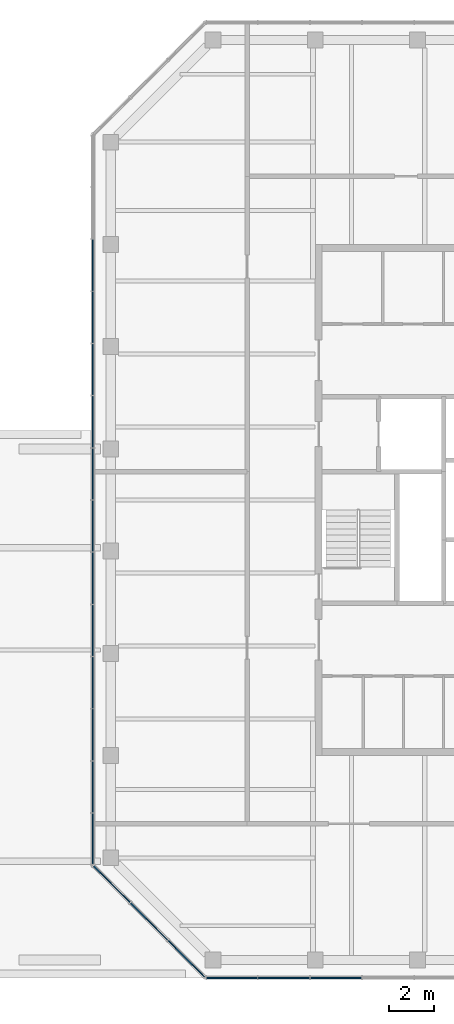
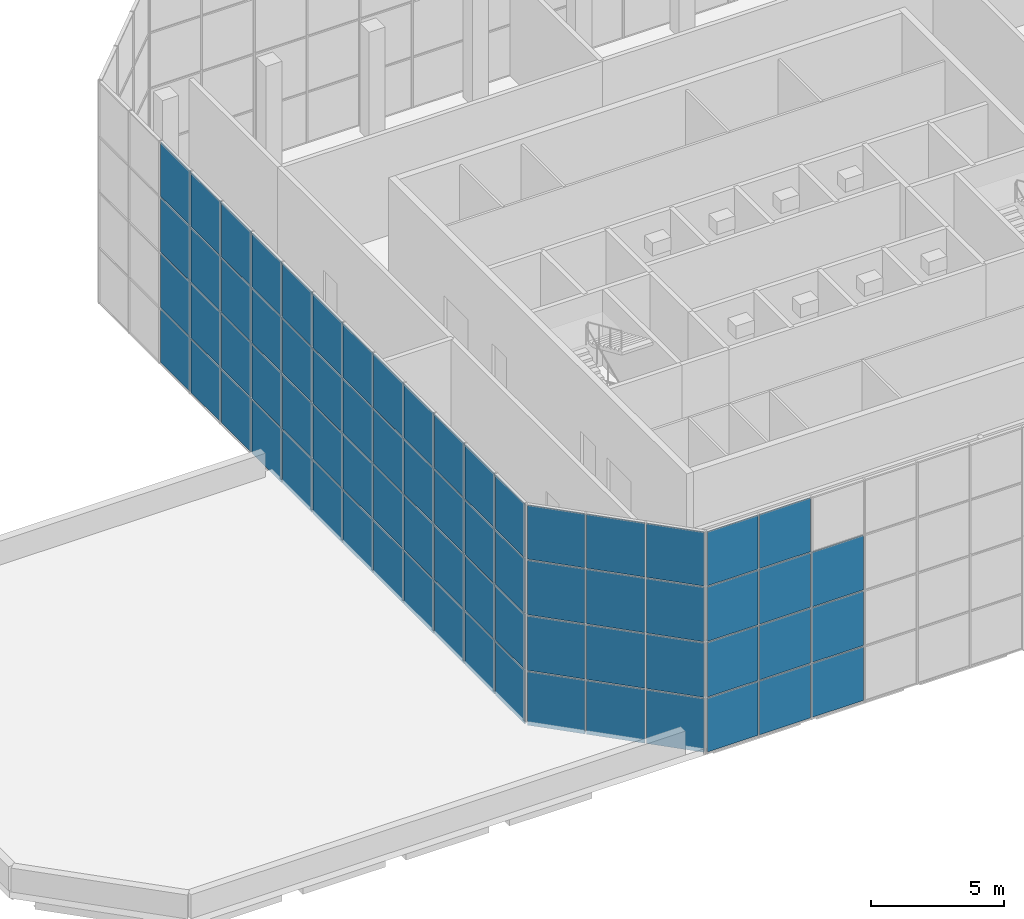
# One storey, part 12 of 19: 71 plates, 3 elements without a shape of their own.
"""IFC4 building model written with IfcOpenShell, lengths in metres."""

from ifc_helpers import new_model, si_unit, direction, frame, origin, origin_2d, place, context, subcontext, project, spatial, rectangle, extrude, material, layer, layer_set, constituent, constituent_set, type_object, element, aggregate, save


model = new_model("IFC4")

# Units and contexts
model_context = context("Model", 3, precision=1e-05, world=origin(), true_north=direction((0.0, 1.0)))
body_context = subcontext(model_context, "Body", "Model", "MODEL_VIEW")
ifc_project = project(units=[si_unit("LENGTHUNIT", "METRE"), si_unit("AREAUNIT", "SQUARE_METRE"), si_unit("VOLUMEUNIT", "CUBIC_METRE"), si_unit("PLANEANGLEUNIT", "RADIAN"), si_unit("MASSUNIT", "GRAM", prefix="KILO")], contexts=[model_context])

# Site, building, storey
site_placement = place(None, origin())
site = spatial("IfcSite", under=ifc_project, at=site_placement, CompositionType="ELEMENT")
building_placement = place(site_placement, origin())
building = spatial("IfcBuilding", under=site, at=building_placement, Name="Quoin Convention Tower", CompositionType="ELEMENT")
storey_placement = place(building_placement, frame((0.0, 0.0, 263.699951171875)))
storey = spatial("IfcBuildingStorey", under=building, at=storey_placement, Name="L69", CompositionType="ELEMENT", Elevation=263.699951171875)

# Curtain wall, plates
ifc_material_1 = material(Name="Aluminium", Category="aluminium")
ifc_constituent_1 = constituent(ifc_material_1, Name="Frame")
ifc_material_2 = material(Name="Insulated glass", Category="glass")
ifc_constituent_2 = constituent(ifc_material_2, Name="Glazing")
ifc_constituent_set = constituent_set(constituents=[ifc_constituent_1, ifc_constituent_2], Name="Aluminium")
curtain_wall_type = type_object("IfcCurtainWallType", Name="Lantern wall system", PredefinedType="NOTDEFINED", material=ifc_constituent_set)
curtain_wall_1_placement = place(storey_placement, origin())
curtain_wall_1 = element("IfcCurtainWall", 1, at=curtain_wall_1_placement, inside=storey, type_object=curtain_wall_type, Name="crn-LNW-36000_76500", PredefinedType="NOTDEFINED")
ifc_layer = layer(ifc_material_2, 0.048095703125)
ifc_layer_set = layer_set([ifc_layer], Name="Insulated glass")
plate_type = type_object("IfcPlateType", Name="Lantern wall glazing unit 48", PredefinedType="CURTAIN_PANEL", material=ifc_layer_set)
plate_1_placement = place(storey_placement, frame((35.2099609375, 71.08544921875, -0.18994140625), z_axis=(0.0, 0.0, 1.0), x_axis=(0.0, -1.0, 0.0)))
plate_1 = element("IfcPlate", 2, at=plate_1_placement, type_object=plate_type, Name="CW5 panel 3.1", PredefinedType="CURTAIN_PANEL", context=body_context, shape_type="SweptSolid", body=[
    extrude(rectangle(XDim=2.23681640625, YDim=0.048095703125, at=origin_2d()), origin(), (0.0, 0.0, 1.0), 2.472412109375),
])
plate_2_placement = place(storey_placement, frame((35.2099609375, 71.08544921875, 2.342529296875), z_axis=(0.0, 0.0, 1.0), x_axis=(0.0, -1.0, 0.0)))
plate_2 = element("IfcPlate", 3, at=plate_2_placement, type_object=plate_type, Name="CW5 panel 3.2", PredefinedType="CURTAIN_PANEL", context=body_context, shape_type="SweptSolid", body=[
    extrude(rectangle(XDim=2.23681640625, YDim=0.048095703125, at=origin_2d()), origin(), (0.0, 0.0, 1.0), 2.50244140625),
])
plate_3_placement = place(storey_placement, frame((35.2099609375, 71.08544921875, 4.905029296875), z_axis=(0.0, 0.0, 1.0), x_axis=(0.0, -1.0, 0.0)))
plate_3 = element("IfcPlate", 4, at=plate_3_placement, type_object=plate_type, Name="CW5 panel 3.3", PredefinedType="CURTAIN_PANEL", context=body_context, shape_type="SweptSolid", body=[
    extrude(rectangle(XDim=2.23681640625, YDim=0.048095703125, at=origin_2d()), origin(), (0.0, 0.0, 1.0), 2.50244140625),
])
plate_4_placement = place(storey_placement, frame((35.2099609375, 71.08544921875, 7.4677734375), z_axis=(0.0, 0.0, 1.0), x_axis=(0.0, -1.0, 0.0)))
plate_4 = element("IfcPlate", 5, at=plate_4_placement, type_object=plate_type, Name="CW5 panel 3.4", PredefinedType="CURTAIN_PANEL", context=body_context, shape_type="SweptSolid", body=[
    extrude(rectangle(XDim=2.23681640625, YDim=0.048095703125, at=origin_2d()), origin(), (0.0, 0.0, 1.0), 2.472412109375),
])
plate_5_placement = place(storey_placement, frame((35.2099609375, 68.78857421875, -0.18994140625), z_axis=(0.0, 0.0, 1.0), x_axis=(0.0, -1.0, 0.0)))
plate_5 = element("IfcPlate", 6, at=plate_5_placement, type_object=plate_type, Name="CW5 panel 4.1", PredefinedType="CURTAIN_PANEL", context=body_context, shape_type="SweptSolid", body=[
    extrude(rectangle(XDim=2.23681640625, YDim=0.048095703125, at=origin_2d()), origin(), (0.0, 0.0, 1.0), 2.472412109375),
])
plate_6_placement = place(storey_placement, frame((35.2099609375, 68.78857421875, 2.342529296875), z_axis=(0.0, 0.0, 1.0), x_axis=(0.0, -1.0, 0.0)))
plate_6 = element("IfcPlate", 7, at=plate_6_placement, type_object=plate_type, Name="CW5 panel 4.2", PredefinedType="CURTAIN_PANEL", context=body_context, shape_type="SweptSolid", body=[
    extrude(rectangle(XDim=2.23681640625, YDim=0.048095703125, at=origin_2d()), origin(), (0.0, 0.0, 1.0), 2.50244140625),
])
plate_7_placement = place(storey_placement, frame((35.2099609375, 68.78857421875, 4.905029296875), z_axis=(0.0, 0.0, 1.0), x_axis=(0.0, -1.0, 0.0)))
plate_7 = element("IfcPlate", 8, at=plate_7_placement, type_object=plate_type, Name="CW5 panel 4.3", PredefinedType="CURTAIN_PANEL", context=body_context, shape_type="SweptSolid", body=[
    extrude(rectangle(XDim=2.23681640625, YDim=0.048095703125, at=origin_2d()), origin(), (0.0, 0.0, 1.0), 2.50244140625),
])
plate_8_placement = place(storey_placement, frame((35.2099609375, 68.78857421875, 7.4677734375), z_axis=(0.0, 0.0, 1.0), x_axis=(0.0, -1.0, 0.0)))
plate_8 = element("IfcPlate", 9, at=plate_8_placement, type_object=plate_type, Name="CW5 panel 4.4", PredefinedType="CURTAIN_PANEL", context=body_context, shape_type="SweptSolid", body=[
    extrude(rectangle(XDim=2.23681640625, YDim=0.048095703125, at=origin_2d()), origin(), (0.0, 0.0, 1.0), 2.472412109375),
])
plate_9_placement = place(storey_placement, frame((35.2099609375, 66.491943359375, -0.18994140625), z_axis=(0.0, 0.0, 1.0), x_axis=(0.0, -1.0, 0.0)))
plate_9 = element("IfcPlate", 10, at=plate_9_placement, type_object=plate_type, Name="CW5 panel 5.1", PredefinedType="CURTAIN_PANEL", context=body_context, shape_type="SweptSolid", body=[
    extrude(rectangle(XDim=2.23681640625, YDim=0.048095703125, at=origin_2d()), origin(), (0.0, 0.0, 1.0), 2.472412109375),
])
plate_10_placement = place(storey_placement, frame((35.2099609375, 66.491943359375, 2.342529296875), z_axis=(0.0, 0.0, 1.0), x_axis=(0.0, -1.0, 0.0)))
plate_10 = element("IfcPlate", 11, at=plate_10_placement, type_object=plate_type, Name="CW5 panel 5.2", PredefinedType="CURTAIN_PANEL", context=body_context, shape_type="SweptSolid", body=[
    extrude(rectangle(XDim=2.23681640625, YDim=0.048095703125, at=origin_2d()), origin(), (0.0, 0.0, 1.0), 2.50244140625),
])
plate_11_placement = place(storey_placement, frame((35.2099609375, 66.491943359375, 4.905029296875), z_axis=(0.0, 0.0, 1.0), x_axis=(0.0, -1.0, 0.0)))
plate_11 = element("IfcPlate", 12, at=plate_11_placement, type_object=plate_type, Name="CW5 panel 5.3", PredefinedType="CURTAIN_PANEL", context=body_context, shape_type="SweptSolid", body=[
    extrude(rectangle(XDim=2.23681640625, YDim=0.048095703125, at=origin_2d()), origin(), (0.0, 0.0, 1.0), 2.50244140625),
])
plate_12_placement = place(storey_placement, frame((35.2099609375, 66.491943359375, 7.4677734375), z_axis=(0.0, 0.0, 1.0), x_axis=(0.0, -1.0, 0.0)))
plate_12 = element("IfcPlate", 13, at=plate_12_placement, type_object=plate_type, Name="CW5 panel 5.4", PredefinedType="CURTAIN_PANEL", context=body_context, shape_type="SweptSolid", body=[
    extrude(rectangle(XDim=2.23681640625, YDim=0.048095703125, at=origin_2d()), origin(), (0.0, 0.0, 1.0), 2.472412109375),
])
plate_13_placement = place(storey_placement, frame((35.2099609375, 64.195068359375, -0.18994140625), z_axis=(0.0, 0.0, 1.0), x_axis=(0.0, -1.0, 0.0)))
plate_13 = element("IfcPlate", 14, at=plate_13_placement, type_object=plate_type, Name="CW5 panel 6.1", PredefinedType="CURTAIN_PANEL", context=body_context, shape_type="SweptSolid", body=[
    extrude(rectangle(XDim=2.23681640625, YDim=0.048095703125, at=origin_2d()), origin(), (0.0, 0.0, 1.0), 2.472412109375),
])
plate_14_placement = place(storey_placement, frame((35.2099609375, 64.195068359375, 2.342529296875), z_axis=(0.0, 0.0, 1.0), x_axis=(0.0, -1.0, 0.0)))
plate_14 = element("IfcPlate", 15, at=plate_14_placement, type_object=plate_type, Name="CW5 panel 6.2", PredefinedType="CURTAIN_PANEL", context=body_context, shape_type="SweptSolid", body=[
    extrude(rectangle(XDim=2.23681640625, YDim=0.048095703125, at=origin_2d()), origin(), (0.0, 0.0, 1.0), 2.50244140625),
])
plate_15_placement = place(storey_placement, frame((35.2099609375, 64.195068359375, 4.905029296875), z_axis=(0.0, 0.0, 1.0), x_axis=(0.0, -1.0, 0.0)))
plate_15 = element("IfcPlate", 16, at=plate_15_placement, type_object=plate_type, Name="CW5 panel 6.3", PredefinedType="CURTAIN_PANEL", context=body_context, shape_type="SweptSolid", body=[
    extrude(rectangle(XDim=2.23681640625, YDim=0.048095703125, at=origin_2d()), origin(), (0.0, 0.0, 1.0), 2.50244140625),
])
plate_16_placement = place(storey_placement, frame((35.2099609375, 64.195068359375, 7.4677734375), z_axis=(0.0, 0.0, 1.0), x_axis=(0.0, -1.0, 0.0)))
plate_16 = element("IfcPlate", 17, at=plate_16_placement, type_object=plate_type, Name="CW5 panel 6.4", PredefinedType="CURTAIN_PANEL", context=body_context, shape_type="SweptSolid", body=[
    extrude(rectangle(XDim=2.23681640625, YDim=0.048095703125, at=origin_2d()), origin(), (0.0, 0.0, 1.0), 2.472412109375),
])
plate_17_placement = place(storey_placement, frame((35.2099609375, 61.8984375, -0.18994140625), z_axis=(0.0, 0.0, 1.0), x_axis=(0.0, -1.0, 0.0)))
plate_17 = element("IfcPlate", 18, at=plate_17_placement, type_object=plate_type, Name="CW5 panel 7.1", PredefinedType="CURTAIN_PANEL", context=body_context, shape_type="SweptSolid", body=[
    extrude(rectangle(XDim=2.23681640625, YDim=0.048095703125, at=origin_2d()), origin(), (0.0, 0.0, 1.0), 2.472412109375),
])
plate_18_placement = place(storey_placement, frame((35.2099609375, 61.8984375, 2.342529296875), z_axis=(0.0, 0.0, 1.0), x_axis=(0.0, -1.0, 0.0)))
plate_18 = element("IfcPlate", 19, at=plate_18_placement, type_object=plate_type, Name="CW5 panel 7.2", PredefinedType="CURTAIN_PANEL", context=body_context, shape_type="SweptSolid", body=[
    extrude(rectangle(XDim=2.23681640625, YDim=0.048095703125, at=origin_2d()), origin(), (0.0, 0.0, 1.0), 2.50244140625),
])
plate_19_placement = place(storey_placement, frame((35.2099609375, 61.8984375, 4.905029296875), z_axis=(0.0, 0.0, 1.0), x_axis=(0.0, -1.0, 0.0)))
plate_19 = element("IfcPlate", 20, at=plate_19_placement, type_object=plate_type, Name="CW5 panel 7.3", PredefinedType="CURTAIN_PANEL", context=body_context, shape_type="SweptSolid", body=[
    extrude(rectangle(XDim=2.23681640625, YDim=0.048095703125, at=origin_2d()), origin(), (0.0, 0.0, 1.0), 2.50244140625),
])
plate_20_placement = place(storey_placement, frame((35.2099609375, 61.8984375, 7.4677734375), z_axis=(0.0, 0.0, 1.0), x_axis=(0.0, -1.0, 0.0)))
plate_20 = element("IfcPlate", 21, at=plate_20_placement, type_object=plate_type, Name="CW5 panel 7.4", PredefinedType="CURTAIN_PANEL", context=body_context, shape_type="SweptSolid", body=[
    extrude(rectangle(XDim=2.23681640625, YDim=0.048095703125, at=origin_2d()), origin(), (0.0, 0.0, 1.0), 2.472412109375),
])
plate_21_placement = place(storey_placement, frame((35.2099609375, 59.6015625, -0.18994140625), z_axis=(0.0, 0.0, 1.0), x_axis=(0.0, -1.0, 0.0)))
plate_21 = element("IfcPlate", 22, at=plate_21_placement, type_object=plate_type, Name="CW5 panel 8.1", PredefinedType="CURTAIN_PANEL", context=body_context, shape_type="SweptSolid", body=[
    extrude(rectangle(XDim=2.23681640625, YDim=0.048095703125, at=origin_2d()), origin(), (0.0, 0.0, 1.0), 2.472412109375),
])
plate_22_placement = place(storey_placement, frame((35.2099609375, 59.6015625, 2.342529296875), z_axis=(0.0, 0.0, 1.0), x_axis=(0.0, -1.0, 0.0)))
plate_22 = element("IfcPlate", 23, at=plate_22_placement, type_object=plate_type, Name="CW5 panel 8.2", PredefinedType="CURTAIN_PANEL", context=body_context, shape_type="SweptSolid", body=[
    extrude(rectangle(XDim=2.23681640625, YDim=0.048095703125, at=origin_2d()), origin(), (0.0, 0.0, 1.0), 2.50244140625),
])
plate_23_placement = place(storey_placement, frame((35.2099609375, 59.6015625, 4.905029296875), z_axis=(0.0, 0.0, 1.0), x_axis=(0.0, -1.0, 0.0)))
plate_23 = element("IfcPlate", 24, at=plate_23_placement, type_object=plate_type, Name="CW5 panel 8.3", PredefinedType="CURTAIN_PANEL", context=body_context, shape_type="SweptSolid", body=[
    extrude(rectangle(XDim=2.23681640625, YDim=0.048095703125, at=origin_2d()), origin(), (0.0, 0.0, 1.0), 2.50244140625),
])
plate_24_placement = place(storey_placement, frame((35.2099609375, 59.6015625, 7.4677734375), z_axis=(0.0, 0.0, 1.0), x_axis=(0.0, -1.0, 0.0)))
plate_24 = element("IfcPlate", 25, at=plate_24_placement, type_object=plate_type, Name="CW5 panel 8.4", PredefinedType="CURTAIN_PANEL", context=body_context, shape_type="SweptSolid", body=[
    extrude(rectangle(XDim=2.23681640625, YDim=0.048095703125, at=origin_2d()), origin(), (0.0, 0.0, 1.0), 2.472412109375),
])
plate_25_placement = place(storey_placement, frame((35.2099609375, 57.304931640625, -0.18994140625), z_axis=(0.0, 0.0, 1.0), x_axis=(0.0, -1.0, 0.0)))
plate_25 = element("IfcPlate", 26, at=plate_25_placement, type_object=plate_type, Name="CW5 panel 9.1", PredefinedType="CURTAIN_PANEL", context=body_context, shape_type="SweptSolid", body=[
    extrude(rectangle(XDim=2.23681640625, YDim=0.048095703125, at=origin_2d()), origin(), (0.0, 0.0, 1.0), 2.472412109375),
])
plate_26_placement = place(storey_placement, frame((35.2099609375, 57.304931640625, 2.342529296875), z_axis=(0.0, 0.0, 1.0), x_axis=(0.0, -1.0, 0.0)))
plate_26 = element("IfcPlate", 27, at=plate_26_placement, type_object=plate_type, Name="CW5 panel 9.2", PredefinedType="CURTAIN_PANEL", context=body_context, shape_type="SweptSolid", body=[
    extrude(rectangle(XDim=2.23681640625, YDim=0.048095703125, at=origin_2d()), origin(), (0.0, 0.0, 1.0), 2.50244140625),
])
plate_27_placement = place(storey_placement, frame((35.2099609375, 57.304931640625, 4.905029296875), z_axis=(0.0, 0.0, 1.0), x_axis=(0.0, -1.0, 0.0)))
plate_27 = element("IfcPlate", 28, at=plate_27_placement, type_object=plate_type, Name="CW5 panel 9.3", PredefinedType="CURTAIN_PANEL", context=body_context, shape_type="SweptSolid", body=[
    extrude(rectangle(XDim=2.23681640625, YDim=0.048095703125, at=origin_2d()), origin(), (0.0, 0.0, 1.0), 2.50244140625),
])
plate_28_placement = place(storey_placement, frame((35.2099609375, 57.304931640625, 7.4677734375), z_axis=(0.0, 0.0, 1.0), x_axis=(0.0, -1.0, 0.0)))
plate_28 = element("IfcPlate", 29, at=plate_28_placement, type_object=plate_type, Name="CW5 panel 9.4", PredefinedType="CURTAIN_PANEL", context=body_context, shape_type="SweptSolid", body=[
    extrude(rectangle(XDim=2.23681640625, YDim=0.048095703125, at=origin_2d()), origin(), (0.0, 0.0, 1.0), 2.472412109375),
])
plate_29_placement = place(storey_placement, frame((35.2099609375, 55.008056640625, -0.18994140625), z_axis=(0.0, 0.0, 1.0), x_axis=(0.0, -1.0, 0.0)))
plate_29 = element("IfcPlate", 30, at=plate_29_placement, type_object=plate_type, Name="CW5 panel 10.1", PredefinedType="CURTAIN_PANEL", context=body_context, shape_type="SweptSolid", body=[
    extrude(rectangle(XDim=2.23681640625, YDim=0.048095703125, at=origin_2d()), origin(), (0.0, 0.0, 1.0), 2.472412109375),
])
plate_30_placement = place(storey_placement, frame((35.2099609375, 55.008056640625, 2.342529296875), z_axis=(0.0, 0.0, 1.0), x_axis=(0.0, -1.0, 0.0)))
plate_30 = element("IfcPlate", 31, at=plate_30_placement, type_object=plate_type, Name="CW5 panel 10.2", PredefinedType="CURTAIN_PANEL", context=body_context, shape_type="SweptSolid", body=[
    extrude(rectangle(XDim=2.23681640625, YDim=0.048095703125, at=origin_2d()), origin(), (0.0, 0.0, 1.0), 2.50244140625),
])
plate_31_placement = place(storey_placement, frame((35.2099609375, 55.008056640625, 4.905029296875), z_axis=(0.0, 0.0, 1.0), x_axis=(0.0, -1.0, 0.0)))
plate_31 = element("IfcPlate", 32, at=plate_31_placement, type_object=plate_type, Name="CW5 panel 10.3", PredefinedType="CURTAIN_PANEL", context=body_context, shape_type="SweptSolid", body=[
    extrude(rectangle(XDim=2.23681640625, YDim=0.048095703125, at=origin_2d()), origin(), (0.0, 0.0, 1.0), 2.50244140625),
])
plate_32_placement = place(storey_placement, frame((35.2099609375, 55.008056640625, 7.4677734375), z_axis=(0.0, 0.0, 1.0), x_axis=(0.0, -1.0, 0.0)))
plate_32 = element("IfcPlate", 33, at=plate_32_placement, type_object=plate_type, Name="CW5 panel 10.4", PredefinedType="CURTAIN_PANEL", context=body_context, shape_type="SweptSolid", body=[
    extrude(rectangle(XDim=2.23681640625, YDim=0.048095703125, at=origin_2d()), origin(), (0.0, 0.0, 1.0), 2.472412109375),
])
plate_33_placement = place(storey_placement, frame((35.2099609375, 52.71142578125, -0.18994140625), z_axis=(0.0, 0.0, 1.0), x_axis=(0.0, -1.0, 0.0)))
plate_33 = element("IfcPlate", 34, at=plate_33_placement, type_object=plate_type, Name="CW5 panel 11.1", PredefinedType="CURTAIN_PANEL", context=body_context, shape_type="SweptSolid", body=[
    extrude(rectangle(XDim=2.23681640625, YDim=0.048095703125, at=origin_2d()), origin(), (0.0, 0.0, 1.0), 2.472412109375),
])
plate_34_placement = place(storey_placement, frame((35.2099609375, 52.71142578125, 2.342529296875), z_axis=(0.0, 0.0, 1.0), x_axis=(0.0, -1.0, 0.0)))
plate_34 = element("IfcPlate", 35, at=plate_34_placement, type_object=plate_type, Name="CW5 panel 11.2", PredefinedType="CURTAIN_PANEL", context=body_context, shape_type="SweptSolid", body=[
    extrude(rectangle(XDim=2.23681640625, YDim=0.048095703125, at=origin_2d()), origin(), (0.0, 0.0, 1.0), 2.50244140625),
])
plate_35_placement = place(storey_placement, frame((35.2099609375, 52.71142578125, 4.905029296875), z_axis=(0.0, 0.0, 1.0), x_axis=(0.0, -1.0, 0.0)))
plate_35 = element("IfcPlate", 36, at=plate_35_placement, type_object=plate_type, Name="CW5 panel 11.3", PredefinedType="CURTAIN_PANEL", context=body_context, shape_type="SweptSolid", body=[
    extrude(rectangle(XDim=2.23681640625, YDim=0.048095703125, at=origin_2d()), origin(), (0.0, 0.0, 1.0), 2.50244140625),
])
plate_36_placement = place(storey_placement, frame((35.2099609375, 52.71142578125, 7.4677734375), z_axis=(0.0, 0.0, 1.0), x_axis=(0.0, -1.0, 0.0)))
plate_36 = element("IfcPlate", 37, at=plate_36_placement, type_object=plate_type, Name="CW5 panel 11.4", PredefinedType="CURTAIN_PANEL", context=body_context, shape_type="SweptSolid", body=[
    extrude(rectangle(XDim=2.23681640625, YDim=0.048095703125, at=origin_2d()), origin(), (0.0, 0.0, 1.0), 2.472412109375),
])
plate_37_placement = place(storey_placement, frame((35.2099609375, 50.41455078125, -0.18994140625), z_axis=(0.0, 0.0, 1.0), x_axis=(0.0, -1.0, 0.0)))
plate_37 = element("IfcPlate", 38, at=plate_37_placement, type_object=plate_type, Name="CW5 panel 12.1", PredefinedType="CURTAIN_PANEL", context=body_context, shape_type="SweptSolid", body=[
    extrude(rectangle(XDim=2.23681640625, YDim=0.048095703125, at=origin_2d()), origin(), (0.0, 0.0, 1.0), 2.472412109375),
])
plate_38_placement = place(storey_placement, frame((35.2099609375, 50.41455078125, 2.342529296875), z_axis=(0.0, 0.0, 1.0), x_axis=(0.0, -1.0, 0.0)))
plate_38 = element("IfcPlate", 39, at=plate_38_placement, type_object=plate_type, Name="CW5 panel 12.2", PredefinedType="CURTAIN_PANEL", context=body_context, shape_type="SweptSolid", body=[
    extrude(rectangle(XDim=2.23681640625, YDim=0.048095703125, at=origin_2d()), origin(), (0.0, 0.0, 1.0), 2.50244140625),
])
plate_39_placement = place(storey_placement, frame((35.2099609375, 50.41455078125, 4.905029296875), z_axis=(0.0, 0.0, 1.0), x_axis=(0.0, -1.0, 0.0)))
plate_39 = element("IfcPlate", 40, at=plate_39_placement, type_object=plate_type, Name="CW5 panel 12.3", PredefinedType="CURTAIN_PANEL", context=body_context, shape_type="SweptSolid", body=[
    extrude(rectangle(XDim=2.23681640625, YDim=0.048095703125, at=origin_2d()), origin(), (0.0, 0.0, 1.0), 2.50244140625),
])
plate_40_placement = place(storey_placement, frame((35.2099609375, 50.41455078125, 7.4677734375), z_axis=(0.0, 0.0, 1.0), x_axis=(0.0, -1.0, 0.0)))
plate_40 = element("IfcPlate", 41, at=plate_40_placement, type_object=plate_type, Name="CW5 panel 12.4", PredefinedType="CURTAIN_PANEL", context=body_context, shape_type="SweptSolid", body=[
    extrude(rectangle(XDim=2.23681640625, YDim=0.048095703125, at=origin_2d()), origin(), (0.0, 0.0, 1.0), 2.472412109375),
])
plate_41_placement = place(storey_placement, frame((35.2099609375, 48.117919921875, -0.18994140625), z_axis=(0.0, 0.0, 1.0), x_axis=(0.0, -1.0, 0.0)))
plate_41 = element("IfcPlate", 42, at=plate_41_placement, type_object=plate_type, Name="CW5 panel 13.1", PredefinedType="CURTAIN_PANEL", context=body_context, shape_type="SweptSolid", body=[
    extrude(rectangle(XDim=2.23681640625, YDim=0.048095703125, at=origin_2d()), origin(), (0.0, 0.0, 1.0), 2.472412109375),
])
plate_42_placement = place(storey_placement, frame((35.2099609375, 48.117919921875, 2.342529296875), z_axis=(0.0, 0.0, 1.0), x_axis=(0.0, -1.0, 0.0)))
plate_42 = element("IfcPlate", 43, at=plate_42_placement, type_object=plate_type, Name="CW5 panel 13.2", PredefinedType="CURTAIN_PANEL", context=body_context, shape_type="SweptSolid", body=[
    extrude(rectangle(XDim=2.23681640625, YDim=0.048095703125, at=origin_2d()), origin(), (0.0, 0.0, 1.0), 2.50244140625),
])
plate_43_placement = place(storey_placement, frame((35.2099609375, 48.117919921875, 4.905029296875), z_axis=(0.0, 0.0, 1.0), x_axis=(0.0, -1.0, 0.0)))
plate_43 = element("IfcPlate", 44, at=plate_43_placement, type_object=plate_type, Name="CW5 panel 13.3", PredefinedType="CURTAIN_PANEL", context=body_context, shape_type="SweptSolid", body=[
    extrude(rectangle(XDim=2.23681640625, YDim=0.048095703125, at=origin_2d()), origin(), (0.0, 0.0, 1.0), 2.50244140625),
])
plate_44_placement = place(storey_placement, frame((35.2099609375, 48.117919921875, 7.4677734375), z_axis=(0.0, 0.0, 1.0), x_axis=(0.0, -1.0, 0.0)))
plate_44 = element("IfcPlate", 45, at=plate_44_placement, type_object=plate_type, Name="CW5 panel 13.4", PredefinedType="CURTAIN_PANEL", context=body_context, shape_type="SweptSolid", body=[
    extrude(rectangle(XDim=2.23681640625, YDim=0.048095703125, at=origin_2d()), origin(), (0.0, 0.0, 1.0), 2.472412109375),
])
plate_45_placement = place(storey_placement, frame((35.2099609375, 45.836181640625, -0.18994140625), z_axis=(0.0, 0.0, 1.0), x_axis=(0.0, -1.0, 0.0)))
plate_45 = element("IfcPlate", 46, at=plate_45_placement, type_object=plate_type, Name="CW5 panel 14.1", PredefinedType="CURTAIN_PANEL", context=body_context, shape_type="SweptSolid", body=[
    extrude(rectangle(XDim=2.206787109375, YDim=0.048095703125, at=origin_2d()), origin(), (0.0, 0.0, 1.0), 2.472412109375),
])
plate_46_placement = place(storey_placement, frame((35.2099609375, 45.836181640625, 2.342529296875), z_axis=(0.0, 0.0, 1.0), x_axis=(0.0, -1.0, 0.0)))
plate_46 = element("IfcPlate", 47, at=plate_46_placement, type_object=plate_type, Name="CW5 panel 14.2", PredefinedType="CURTAIN_PANEL", context=body_context, shape_type="SweptSolid", body=[
    extrude(rectangle(XDim=2.206787109375, YDim=0.048095703125, at=origin_2d()), origin(), (0.0, 0.0, 1.0), 2.50244140625),
])
plate_47_placement = place(storey_placement, frame((35.2099609375, 45.836181640625, 4.905029296875), z_axis=(0.0, 0.0, 1.0), x_axis=(0.0, -1.0, 0.0)))
plate_47 = element("IfcPlate", 48, at=plate_47_placement, type_object=plate_type, Name="CW5 panel 14.3", PredefinedType="CURTAIN_PANEL", context=body_context, shape_type="SweptSolid", body=[
    extrude(rectangle(XDim=2.206787109375, YDim=0.048095703125, at=origin_2d()), origin(), (0.0, 0.0, 1.0), 2.50244140625),
])
plate_48_placement = place(storey_placement, frame((35.2099609375, 45.836181640625, 7.4677734375), z_axis=(0.0, 0.0, 1.0), x_axis=(0.0, -1.0, 0.0)))
plate_48 = element("IfcPlate", 49, at=plate_48_placement, type_object=plate_type, Name="CW5 panel 14.4", PredefinedType="CURTAIN_PANEL", context=body_context, shape_type="SweptSolid", body=[
    extrude(rectangle(XDim=2.206787109375, YDim=0.048095703125, at=origin_2d()), origin(), (0.0, 0.0, 1.0), 2.472412109375),
])
aggregate(curtain_wall_1, [plate_1, plate_2, plate_3, plate_4, plate_5, plate_6, plate_7, plate_8, plate_9, plate_10, plate_11, plate_12, plate_13, plate_14, plate_15, plate_16, plate_17, plate_18, plate_19, plate_20, plate_21, plate_22, plate_23, plate_24, plate_25, plate_26, plate_27, plate_28, plate_29, plate_30, plate_31, plate_32, plate_33, plate_34, plate_35, plate_36, plate_37, plate_38, plate_39, plate_40, plate_41, plate_42, plate_43, plate_44, plate_45, plate_46, plate_47, plate_48])

curtain_wall_2_placement = place(storey_placement, origin())
curtain_wall_2 = element("IfcCurtainWall", 50, at=curtain_wall_2_placement, inside=storey, type_object=curtain_wall_type, Name="crn-LNW-36000_45000", PredefinedType="NOTDEFINED")
plate_49_placement = place(storey_placement, frame((36.0478515625, 43.8349609375, -0.18994140625), z_axis=(0.0, 0.0, 1.0), x_axis=(0.707106781187, -0.707106781187, 0.0)))
plate_49 = element("IfcPlate", 51, at=plate_49_placement, type_object=plate_type, Name="CW5 panel 1.1", PredefinedType="CURTAIN_PANEL", context=body_context, shape_type="SweptSolid", body=[
    extrude(rectangle(XDim=2.24951171875, YDim=0.048095703125, at=origin_2d()), origin(), (0.0, 0.0, 1.0), 2.472412109375),
])
plate_50_placement = place(storey_placement, frame((36.0478515625, 43.8349609375, 2.342529296875), z_axis=(0.0, 0.0, 1.0), x_axis=(0.707106781187, -0.707106781187, 0.0)))
plate_50 = element("IfcPlate", 52, at=plate_50_placement, type_object=plate_type, Name="CW5 panel 1.2", PredefinedType="CURTAIN_PANEL", context=body_context, shape_type="SweptSolid", body=[
    extrude(rectangle(XDim=2.24951171875, YDim=0.048095703125, at=origin_2d()), origin(), (0.0, 0.0, 1.0), 2.50244140625),
])
plate_51_placement = place(storey_placement, frame((36.0478515625, 43.8349609375, 4.905029296875), z_axis=(0.0, 0.0, 1.0), x_axis=(0.707106781187, -0.707106781187, 0.0)))
plate_51 = element("IfcPlate", 53, at=plate_51_placement, type_object=plate_type, Name="CW5 panel 1.3", PredefinedType="CURTAIN_PANEL", context=body_context, shape_type="SweptSolid", body=[
    extrude(rectangle(XDim=2.24951171875, YDim=0.048095703125, at=origin_2d()), origin(), (0.0, 0.0, 1.0), 2.50244140625),
])
plate_52_placement = place(storey_placement, frame((36.0478515625, 43.8349609375, 7.4677734375), z_axis=(0.0, 0.0, 1.0), x_axis=(0.707106781187, -0.707106781187, 0.0)))
plate_52 = element("IfcPlate", 54, at=plate_52_placement, type_object=plate_type, Name="CW5 panel 1.4", PredefinedType="CURTAIN_PANEL", context=body_context, shape_type="SweptSolid", body=[
    extrude(rectangle(XDim=2.24951171875, YDim=0.048095703125, at=origin_2d()), origin(), (0.0, 0.0, 1.0), 2.472412109375),
])
plate_53_placement = place(storey_placement, frame((37.69140625, 42.19140625, -0.18994140625), z_axis=(0.0, 0.0, 1.0), x_axis=(0.707106781187, -0.707106781187, 0.0)))
plate_53 = element("IfcPlate", 55, at=plate_53_placement, type_object=plate_type, Name="CW5 panel 2.1", PredefinedType="CURTAIN_PANEL", context=body_context, shape_type="SweptSolid", body=[
    extrude(rectangle(XDim=2.279541015625, YDim=0.048095703125, at=origin_2d()), origin(), (0.0, 0.0, 1.0), 2.472412109375),
])
plate_54_placement = place(storey_placement, frame((37.69140625, 42.19140625, 2.342529296875), z_axis=(0.0, 0.0, 1.0), x_axis=(0.707106781187, -0.707106781187, 0.0)))
plate_54 = element("IfcPlate", 56, at=plate_54_placement, type_object=plate_type, Name="CW5 panel 2.2", PredefinedType="CURTAIN_PANEL", context=body_context, shape_type="SweptSolid", body=[
    extrude(rectangle(XDim=2.279541015625, YDim=0.048095703125, at=origin_2d()), origin(), (0.0, 0.0, 1.0), 2.50244140625),
])
plate_55_placement = place(storey_placement, frame((37.69140625, 42.19140625, 4.905029296875), z_axis=(0.0, 0.0, 1.0), x_axis=(0.707106781187, -0.707106781187, 0.0)))
plate_55 = element("IfcPlate", 57, at=plate_55_placement, type_object=plate_type, Name="CW5 panel 2.3", PredefinedType="CURTAIN_PANEL", context=body_context, shape_type="SweptSolid", body=[
    extrude(rectangle(XDim=2.279541015625, YDim=0.048095703125, at=origin_2d()), origin(), (0.0, 0.0, 1.0), 2.50244140625),
])
plate_56_placement = place(storey_placement, frame((37.69140625, 42.19140625, 7.4677734375), z_axis=(0.0, 0.0, 1.0), x_axis=(0.707106781187, -0.707106781187, 0.0)))
plate_56 = element("IfcPlate", 58, at=plate_56_placement, type_object=plate_type, Name="CW5 panel 2.4", PredefinedType="CURTAIN_PANEL", context=body_context, shape_type="SweptSolid", body=[
    extrude(rectangle(XDim=2.279541015625, YDim=0.048095703125, at=origin_2d()), origin(), (0.0, 0.0, 1.0), 2.472412109375),
])
plate_57_placement = place(storey_placement, frame((39.3349609375, 40.5478515625, -0.18994140625), z_axis=(0.0, 0.0, 1.0), x_axis=(0.707106781187, -0.707106781187, 0.0)))
plate_57 = element("IfcPlate", 59, at=plate_57_placement, type_object=plate_type, Name="CW5 panel 3.1", PredefinedType="CURTAIN_PANEL", context=body_context, shape_type="SweptSolid", body=[
    extrude(rectangle(XDim=2.24951171875, YDim=0.048095703125, at=origin_2d()), origin(), (0.0, 0.0, 1.0), 2.472412109375),
])
plate_58_placement = place(storey_placement, frame((39.3349609375, 40.5478515625, 2.342529296875), z_axis=(0.0, 0.0, 1.0), x_axis=(0.707106781187, -0.707106781187, 0.0)))
plate_58 = element("IfcPlate", 60, at=plate_58_placement, type_object=plate_type, Name="CW5 panel 3.2", PredefinedType="CURTAIN_PANEL", context=body_context, shape_type="SweptSolid", body=[
    extrude(rectangle(XDim=2.24951171875, YDim=0.048095703125, at=origin_2d()), origin(), (0.0, 0.0, 1.0), 2.50244140625),
])
plate_59_placement = place(storey_placement, frame((39.3349609375, 40.5478515625, 4.905029296875), z_axis=(0.0, 0.0, 1.0), x_axis=(0.707106781187, -0.707106781187, 0.0)))
plate_59 = element("IfcPlate", 61, at=plate_59_placement, type_object=plate_type, Name="CW5 panel 3.3", PredefinedType="CURTAIN_PANEL", context=body_context, shape_type="SweptSolid", body=[
    extrude(rectangle(XDim=2.24951171875, YDim=0.048095703125, at=origin_2d()), origin(), (0.0, 0.0, 1.0), 2.50244140625),
])
plate_60_placement = place(storey_placement, frame((39.3349609375, 40.5478515625, 7.4677734375), z_axis=(0.0, 0.0, 1.0), x_axis=(0.707106781187, -0.707106781187, 0.0)))
plate_60 = element("IfcPlate", 62, at=plate_60_placement, type_object=plate_type, Name="CW5 panel 3.4", PredefinedType="CURTAIN_PANEL", context=body_context, shape_type="SweptSolid", body=[
    extrude(rectangle(XDim=2.24951171875, YDim=0.048095703125, at=origin_2d()), origin(), (0.0, 0.0, 1.0), 2.472412109375),
])
aggregate(curtain_wall_2, [plate_49, plate_50, plate_51, plate_52, plate_53, plate_54, plate_55, plate_56, plate_57, plate_58, plate_59, plate_60])

curtain_wall_3_placement = place(storey_placement, origin())
curtain_wall_3 = element("IfcCurtainWall", 63, at=curtain_wall_3_placement, inside=storey, type_object=curtain_wall_type, Name="crn-LNW-40500_40500", PredefinedType="NOTDEFINED")
plate_61_placement = place(storey_placement, frame((41.336181640625, 39.7099609375, -0.18994140625), z_axis=(0.0, 0.0, 1.0), x_axis=(1.0, 0.0, 0.0)))
plate_61 = element("IfcPlate", 64, at=plate_61_placement, type_object=plate_type, Name="CW5 panel 1.1", PredefinedType="CURTAIN_PANEL", context=body_context, shape_type="SweptSolid", body=[
    extrude(rectangle(XDim=2.206787109375, YDim=0.048095703125, at=origin_2d()), origin(), (0.0, 0.0, 1.0), 2.472412109375),
])
plate_62_placement = place(storey_placement, frame((41.336181640625, 39.7099609375, 2.342529296875), z_axis=(0.0, 0.0, 1.0), x_axis=(1.0, 0.0, 0.0)))
plate_62 = element("IfcPlate", 65, at=plate_62_placement, type_object=plate_type, Name="CW5 panel 1.2", PredefinedType="CURTAIN_PANEL", context=body_context, shape_type="SweptSolid", body=[
    extrude(rectangle(XDim=2.206787109375, YDim=0.048095703125, at=origin_2d()), origin(), (0.0, 0.0, 1.0), 2.50244140625),
])
plate_63_placement = place(storey_placement, frame((41.336181640625, 39.7099609375, 4.905029296875), z_axis=(0.0, 0.0, 1.0), x_axis=(1.0, 0.0, 0.0)))
plate_63 = element("IfcPlate", 66, at=plate_63_placement, type_object=plate_type, Name="CW5 panel 1.3", PredefinedType="CURTAIN_PANEL", context=body_context, shape_type="SweptSolid", body=[
    extrude(rectangle(XDim=2.206787109375, YDim=0.048095703125, at=origin_2d()), origin(), (0.0, 0.0, 1.0), 2.50244140625),
])
plate_64_placement = place(storey_placement, frame((41.336181640625, 39.7099609375, 7.4677734375), z_axis=(0.0, 0.0, 1.0), x_axis=(1.0, 0.0, 0.0)))
plate_64 = element("IfcPlate", 67, at=plate_64_placement, type_object=plate_type, Name="CW5 panel 1.4", PredefinedType="CURTAIN_PANEL", context=body_context, shape_type="SweptSolid", body=[
    extrude(rectangle(XDim=2.206787109375, YDim=0.048095703125, at=origin_2d()), origin(), (0.0, 0.0, 1.0), 2.472412109375),
])
plate_65_placement = place(storey_placement, frame((43.617919921875, 39.7099609375, -0.18994140625), z_axis=(0.0, 0.0, 1.0), x_axis=(1.0, 0.0, 0.0)))
plate_65 = element("IfcPlate", 68, at=plate_65_placement, type_object=plate_type, Name="CW5 panel 2.1", PredefinedType="CURTAIN_PANEL", context=body_context, shape_type="SweptSolid", body=[
    extrude(rectangle(XDim=2.23681640625, YDim=0.048095703125, at=origin_2d()), origin(), (0.0, 0.0, 1.0), 2.472412109375),
])
plate_66_placement = place(storey_placement, frame((43.617919921875, 39.7099609375, 2.342529296875), z_axis=(0.0, 0.0, 1.0), x_axis=(1.0, 0.0, 0.0)))
plate_66 = element("IfcPlate", 69, at=plate_66_placement, type_object=plate_type, Name="CW5 panel 2.2", PredefinedType="CURTAIN_PANEL", context=body_context, shape_type="SweptSolid", body=[
    extrude(rectangle(XDim=2.23681640625, YDim=0.048095703125, at=origin_2d()), origin(), (0.0, 0.0, 1.0), 2.50244140625),
])
plate_67_placement = place(storey_placement, frame((43.617919921875, 39.7099609375, 4.905029296875), z_axis=(0.0, 0.0, 1.0), x_axis=(1.0, 0.0, 0.0)))
plate_67 = element("IfcPlate", 70, at=plate_67_placement, type_object=plate_type, Name="CW5 panel 2.3", PredefinedType="CURTAIN_PANEL", context=body_context, shape_type="SweptSolid", body=[
    extrude(rectangle(XDim=2.23681640625, YDim=0.048095703125, at=origin_2d()), origin(), (0.0, 0.0, 1.0), 2.50244140625),
])
plate_68_placement = place(storey_placement, frame((43.617919921875, 39.7099609375, 7.4677734375), z_axis=(0.0, 0.0, 1.0), x_axis=(1.0, 0.0, 0.0)))
plate_68 = element("IfcPlate", 71, at=plate_68_placement, type_object=plate_type, Name="CW5 panel 2.4", PredefinedType="CURTAIN_PANEL", context=body_context, shape_type="SweptSolid", body=[
    extrude(rectangle(XDim=2.23681640625, YDim=0.048095703125, at=origin_2d()), origin(), (0.0, 0.0, 1.0), 2.472412109375),
])
plate_69_placement = place(storey_placement, frame((45.91455078125, 39.7099609375, -0.18994140625), z_axis=(0.0, 0.0, 1.0), x_axis=(1.0, 0.0, 0.0)))
plate_69 = element("IfcPlate", 72, at=plate_69_placement, type_object=plate_type, Name="CW5 panel 3.1", PredefinedType="CURTAIN_PANEL", context=body_context, shape_type="SweptSolid", body=[
    extrude(rectangle(XDim=2.23681640625, YDim=0.048095703125, at=origin_2d()), origin(), (0.0, 0.0, 1.0), 2.472412109375),
])
plate_70_placement = place(storey_placement, frame((45.91455078125, 39.7099609375, 2.342529296875), z_axis=(0.0, 0.0, 1.0), x_axis=(1.0, 0.0, 0.0)))
plate_70 = element("IfcPlate", 73, at=plate_70_placement, type_object=plate_type, Name="CW5 panel 3.2", PredefinedType="CURTAIN_PANEL", context=body_context, shape_type="SweptSolid", body=[
    extrude(rectangle(XDim=2.23681640625, YDim=0.048095703125, at=origin_2d()), origin(), (0.0, 0.0, 1.0), 2.50244140625),
])
plate_71_placement = place(storey_placement, frame((45.91455078125, 39.7099609375, 4.905029296875), z_axis=(0.0, 0.0, 1.0), x_axis=(1.0, 0.0, 0.0)))
plate_71 = element("IfcPlate", 74, at=plate_71_placement, type_object=plate_type, Name="CW5 panel 3.3", PredefinedType="CURTAIN_PANEL", context=body_context, shape_type="SweptSolid", body=[
    extrude(rectangle(XDim=2.23681640625, YDim=0.048095703125, at=origin_2d()), origin(), (0.0, 0.0, 1.0), 2.50244140625),
])
aggregate(curtain_wall_3, [plate_61, plate_62, plate_63, plate_64, plate_65, plate_66, plate_67, plate_68, plate_69, plate_70, plate_71])

save(model, "model.ifc")
